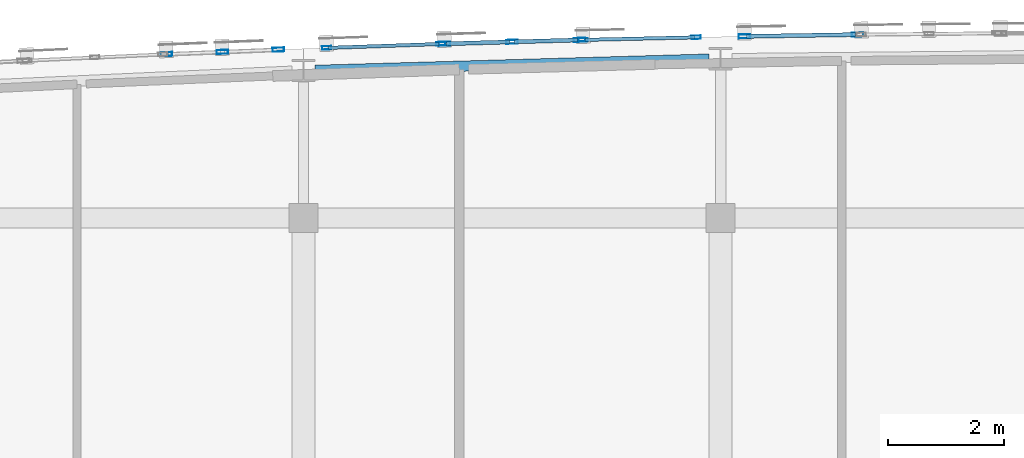
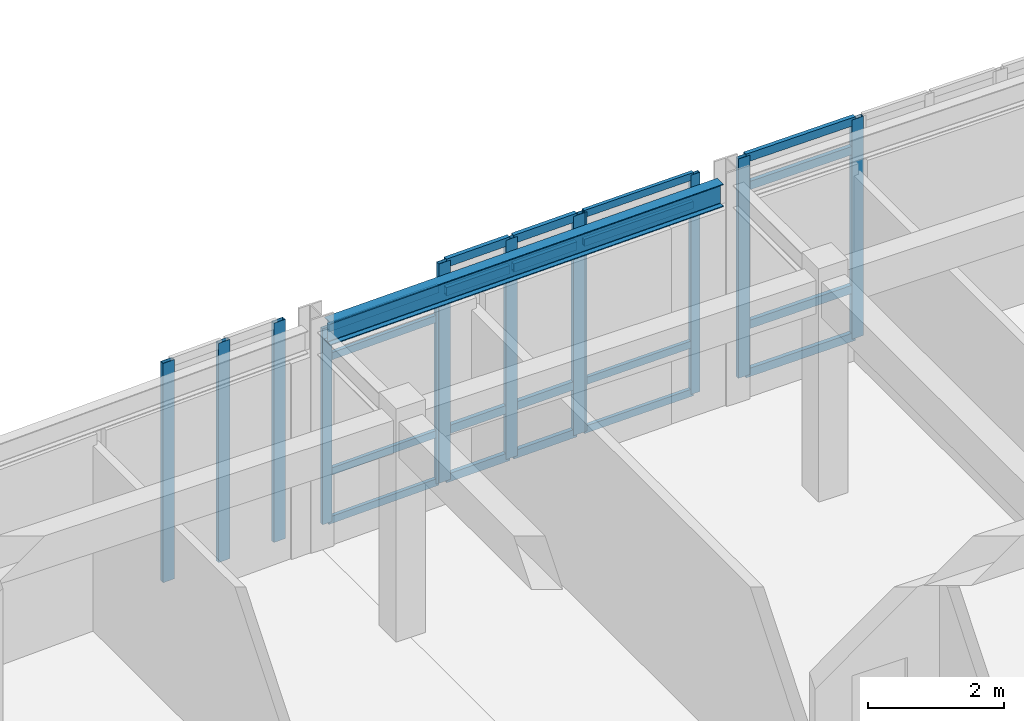
# One storey, part 11 of 24: 32 members, 1 beam, 5 elements without a shape of their own.
"""IFC4 building model written with IfcOpenShell, lengths in metres."""

from ifc_helpers import new_model, si_unit, direction, frame, origin, origin_2d, place, context, subcontext, project, spatial, hollow_rectangle, i_section, extrude, material, layer, layer_set, material_profile, profile_set, type_object, element, aggregate, save


model = new_model("IFC4")

# Units and contexts
model_context = context("Model", 3, precision=1e-05, world=origin(), true_north=direction((0.0, 1.0)))
body_context = subcontext(model_context, "Body", "Model", "MODEL_VIEW")
ifc_project = project(units=[si_unit("LENGTHUNIT", "METRE"), si_unit("AREAUNIT", "SQUARE_METRE"), si_unit("VOLUMEUNIT", "CUBIC_METRE"), si_unit("PLANEANGLEUNIT", "RADIAN"), si_unit("MASSUNIT", "GRAM", prefix="KILO")], contexts=[model_context])

# Site, building, storey
site_placement = place(None, origin())
site = spatial("IfcSite", under=ifc_project, at=site_placement, CompositionType="ELEMENT")
building_placement = place(site_placement, origin())
building = spatial("IfcBuilding", under=site, at=building_placement, Name="Carrowvane Square Congress Hotel", CompositionType="ELEMENT")
storey_placement = place(building_placement, frame((0.0, 0.0, 44.39990234375)))
storey = spatial("IfcBuildingStorey", under=building, at=storey_placement, Name="L11", CompositionType="ELEMENT", Elevation=44.39990234375)

# Beam
ifc_material_1 = material(Name="Steel S355", Category="steel")
ifc_material_profile_1 = material_profile(ifc_material_1, i_section(OverallWidth=0.1787109375, OverallDepth=0.409423828125, WebThickness=0.0087890625, FlangeThickness=0.014404296875, FilletRadius=0.01025390625, at=origin_2d()), Name="UKB 406x178x67")
ifc_profile_set_1 = profile_set([ifc_material_profile_1], Name="Steel S355")
beam_type = type_object("IfcBeamType", Name="BM-ST-UKB406", PredefinedType="BEAM", material=ifc_profile_set_1)
beam_placement = place(storey_placement, frame((83.79736328125, 115.94970703125, 3.745361328125), z_axis=(0.999592525084, 0.028544417936, 0.0), x_axis=(-0.028544417936, 0.999592525084, 0.0)))
element("IfcBeam", 1, at=beam_placement, inside=storey, type_object=beam_type, Name="RF curved north spandrel", PredefinedType="BEAM", context=body_context, shape_type="SweptSolid", body=[
    extrude(i_section(OverallWidth=0.1787109375, OverallDepth=0.409423828125, WebThickness=0.0087890625, FlangeThickness=0.014404296875, FilletRadius=0.01025390625, at=origin_2d()), origin(), (0.0, 0.0, 1.0), 6.80810546875),
])

# Curtain wall, members
ifc_material_2 = material(Name="Anodised aluminium", Category="aluminium")
ifc_layer_1 = layer(ifc_material_2, 0.162109375)
ifc_layer_set_1 = layer_set([ifc_layer_1], Name="Anodised aluminium")
curtain_wall_type_1 = type_object("IfcCurtainWallType", Name="CW-SYS-1", PredefinedType="NOTDEFINED", material=ifc_layer_set_1)
curtain_wall_1_placement = place(storey_placement, origin())
curtain_wall_1 = element("IfcCurtainWall", 2, at=curtain_wall_1_placement, inside=storey, type_object=curtain_wall_type_1, Name="L11 unitised curtain wall 600", PredefinedType="NOTDEFINED")
ifc_material_3 = material(Name="Anodised aluminium", Category="aluminium")
ifc_material_profile_2 = material_profile(ifc_material_3, hollow_rectangle(XDim=0.06005859375, YDim=0.159912109375, WallThickness=0.00390625, at=origin_2d()), Name="CW-ML 60x160x4")
ifc_profile_set_2 = profile_set([ifc_material_profile_2], Name="Anodised aluminium")
member_type_1 = type_object("IfcMemberType", Name="CW-MUL-1", PredefinedType="MULLION", material=ifc_profile_set_2)
member_1_placement = place(storey_placement, frame((84.00048828125, 116.337890625, 0.0), z_axis=(0.0, 0.0, 1.0), x_axis=(-0.034526729036, 0.999403774749, 0.0)))
member_1 = element("IfcMember", 3, at=member_1_placement, type_object=member_type_1, Name="CW-1 mullion 1", PredefinedType="MULLION", context=body_context, shape_type="SweptSolid", body=[
    extrude(hollow_rectangle(XDim=0.06005859375, YDim=0.159912109375, WallThickness=0.00390625, at=origin_2d()), origin(), (0.0, 0.0, 1.0), 3.525634765625),
])
member_2_placement = place(storey_placement, frame((85.969970703125, 116.406005859375, 0.0), z_axis=(0.0, 0.0, 1.0), x_axis=(-0.034526729036, 0.999403774749, 0.0)))
member_2 = element("IfcMember", 4, at=member_2_placement, type_object=member_type_1, Name="CW-1 mullion 2", PredefinedType="MULLION", context=body_context, shape_type="SweptSolid", body=[
    extrude(hollow_rectangle(XDim=0.06005859375, YDim=0.159912109375, WallThickness=0.00390625, at=origin_2d()), origin(), (0.0, 0.0, 1.0), 3.525634765625),
])

ifc_material_4 = material(Name="Anodised aluminium", Category="aluminium")
ifc_layer_2 = layer(ifc_material_4, 0.18603515625)
ifc_layer_set_2 = layer_set([ifc_layer_2], Name="Anodised aluminium")
curtain_wall_type_2 = type_object("IfcCurtainWallType", Name="CW-SYS-3", PredefinedType="NOTDEFINED", material=ifc_layer_set_2)
curtain_wall_2_placement = place(storey_placement, origin())
curtain_wall_2 = element("IfcCurtainWall", 5, at=curtain_wall_2_placement, inside=storey, type_object=curtain_wall_type_2, Name="L11 unitised curtain wall 602", PredefinedType="NOTDEFINED")
member_3_placement = place(storey_placement, frame((88.429931640625, 116.476318359375, 0.0), z_axis=(0.0, 0.0, 1.0), x_axis=(-0.022517686606, 0.99974644475, 0.0)))
member_3 = element("IfcMember", 6, at=member_3_placement, type_object=member_type_1, Name="CW-3 mullion 1", PredefinedType="MULLION", context=body_context, shape_type="SweptSolid", body=[
    extrude(hollow_rectangle(XDim=0.06005859375, YDim=0.159912109375, WallThickness=0.00390625, at=origin_2d()), origin(), (0.0, 0.0, 1.0), 3.9501953125),
])
member_4_placement = place(storey_placement, frame((90.377685546875, 116.520263671875, 0.0), z_axis=(0.0, 0.0, 1.0), x_axis=(-0.022517686606, 0.99974644475, 0.0)))
member_4 = element("IfcMember", 7, at=member_4_placement, type_object=member_type_1, Name="CW-3 mullion 2", PredefinedType="MULLION", context=body_context, shape_type="SweptSolid", body=[
    extrude(hollow_rectangle(XDim=0.06005859375, YDim=0.159912109375, WallThickness=0.00390625, at=origin_2d()), origin(), (0.0, 0.0, 1.0), 3.9501953125),
])

ifc_material_5 = material(Name="Anodised aluminium", Category="aluminium")
ifc_layer_3 = layer(ifc_material_5, 0.24609375)
ifc_layer_set_3 = layer_set([ifc_layer_3], Name="Anodised aluminium")
curtain_wall_type_3 = type_object("IfcCurtainWallType", Name="CW-SYS-8", PredefinedType="NOTDEFINED", material=ifc_layer_set_3)
curtain_wall_3_placement = place(storey_placement, origin())
curtain_wall_3 = element("IfcCurtainWall", 8, at=curtain_wall_3_placement, inside=storey, type_object=curtain_wall_type_3, Name="L11 unitised curtain wall 599", PredefinedType="NOTDEFINED")
ifc_material_6 = material(Name="Anodised aluminium", Category="aluminium")
ifc_material_profile_3 = material_profile(ifc_material_6, hollow_rectangle(XDim=0.070068359375, YDim=0.199951171875, WallThickness=0.0048828125, at=origin_2d()), Name="CW-ML 70x200x5")
ifc_profile_set_3 = profile_set([ifc_material_profile_3], Name="Anodised aluminium")
member_type_2 = type_object("IfcMemberType", Name="CW-MUL-2", PredefinedType="MULLION", material=ifc_profile_set_3)
member_5_placement = place(storey_placement, frame((81.23486328125, 116.22900390625, 0.0), z_axis=(0.0, 0.0, 1.0), x_axis=(-0.040135742379, 0.999194236464, 0.0)))
member_5 = element("IfcMember", 9, at=member_5_placement, type_object=member_type_2, Name="CW-8 mullion 1", PredefinedType="MULLION", context=body_context, shape_type="SweptSolid", body=[
    extrude(hollow_rectangle(XDim=0.070068359375, YDim=0.199951171875, WallThickness=0.0048828125, at=origin_2d()), origin(), (0.0, 0.0, 1.0), 3.9501953125),
])
member_6_placement = place(storey_placement, frame((82.200439453125, 116.267822265625, 0.0), z_axis=(0.0, 0.0, 1.0), x_axis=(-0.040135742379, 0.999194236464, 0.0)))
member_6 = element("IfcMember", 10, at=member_6_placement, type_object=member_type_2, Name="CW-8 mullion 2", PredefinedType="MULLION", context=body_context, shape_type="SweptSolid", body=[
    extrude(hollow_rectangle(XDim=0.070068359375, YDim=0.199951171875, WallThickness=0.0048828125, at=origin_2d()), origin(), (0.0, 0.0, 1.0), 3.9501953125),
])
member_7_placement = place(storey_placement, frame((83.166015625, 116.306640625, 0.0), z_axis=(0.0, 0.0, 1.0), x_axis=(-0.040135742379, 0.999194236464, 0.0)))
member_7 = element("IfcMember", 11, at=member_7_placement, type_object=member_type_2, Name="CW-8 mullion 3", PredefinedType="MULLION", context=body_context, shape_type="SweptSolid", body=[
    extrude(hollow_rectangle(XDim=0.070068359375, YDim=0.199951171875, WallThickness=0.0048828125, at=origin_2d()), origin(), (0.0, 0.0, 1.0), 3.9501953125),
])
aggregate(curtain_wall_3, [member_5, member_6, member_7])

ifc_material_7 = material(Name="Anodised aluminium", Category="aluminium")
ifc_layer_4 = layer(ifc_material_7, 0.174072265625)
ifc_layer_set_4 = layer_set([ifc_layer_4], Name="Anodised aluminium")
curtain_wall_type_4 = type_object("IfcCurtainWallType", Name="CW-SYS-2", PredefinedType="NOTDEFINED", material=ifc_layer_set_4)
curtain_wall_4_placement = place(storey_placement, origin())
curtain_wall_4 = element("IfcCurtainWall", 12, at=curtain_wall_4_placement, inside=storey, type_object=curtain_wall_type_4, Name="L11 unitised curtain wall 601", PredefinedType="NOTDEFINED")
member_8_placement = place(storey_placement, frame((86.034912109375, 116.407958984375, 0.0), z_axis=(0.0, 0.0, 1.0), x_axis=(-0.028638010501, 0.999589848065, 0.0)))
member_8 = element("IfcMember", 13, at=member_8_placement, type_object=member_type_2, Name="CW-2 mullion 1", PredefinedType="MULLION", context=body_context, shape_type="SweptSolid", body=[
    extrude(hollow_rectangle(XDim=0.070068359375, YDim=0.199951171875, WallThickness=0.0048828125, at=origin_2d()), origin(), (0.0, 0.0, 1.0), 3.9501953125),
])
member_9_placement = place(storey_placement, frame((87.199951171875, 116.44140625, 0.0), z_axis=(0.0, 0.0, 1.0), x_axis=(-0.028638010501, 0.999589848065, 0.0)))
member_9 = element("IfcMember", 14, at=member_9_placement, type_object=member_type_2, Name="CW-2 mullion 2", PredefinedType="MULLION", context=body_context, shape_type="SweptSolid", body=[
    extrude(hollow_rectangle(XDim=0.070068359375, YDim=0.199951171875, WallThickness=0.0048828125, at=origin_2d()), origin(), (0.0, 0.0, 1.0), 3.9501953125),
])
member_10_placement = place(storey_placement, frame((88.364990234375, 116.474609375, 0.0), z_axis=(0.0, 0.0, 1.0), x_axis=(-0.028638010501, 0.999589848065, 0.0)))
member_10 = element("IfcMember", 15, at=member_10_placement, type_object=member_type_2, Name="CW-2 mullion 3", PredefinedType="MULLION", context=body_context, shape_type="SweptSolid", body=[
    extrude(hollow_rectangle(XDim=0.070068359375, YDim=0.199951171875, WallThickness=0.0048828125, at=origin_2d()), origin(), (0.0, 0.0, 1.0), 3.9501953125),
])

ifc_material_8 = material(Name="Anodised aluminium", Category="aluminium")
ifc_layer_5 = layer(ifc_material_8, 0.197998046875)
ifc_layer_set_5 = layer_set([ifc_layer_5], Name="Anodised aluminium")
curtain_wall_type_5 = type_object("IfcCurtainWallType", Name="CW-SYS-4", PredefinedType="NOTDEFINED", material=ifc_layer_set_5)
curtain_wall_5_placement = place(storey_placement, origin())
curtain_wall_5 = element("IfcCurtainWall", 16, at=curtain_wall_5_placement, inside=storey, type_object=curtain_wall_type_5, Name="L11 unitised curtain wall 603", PredefinedType="NOTDEFINED")
member_11_placement = place(storey_placement, frame((91.212646484375, 116.536376953125, 0.0), z_axis=(0.0, 0.0, 1.0), x_axis=(-0.016215981364, 0.99986851233, 0.0)))
member_11 = element("IfcMember", 17, at=member_11_placement, type_object=member_type_2, Name="CW-4 mullion 1", PredefinedType="MULLION", context=body_context, shape_type="SweptSolid", body=[
    extrude(hollow_rectangle(XDim=0.070068359375, YDim=0.199951171875, WallThickness=0.0048828125, at=origin_2d()), origin(), (0.0, 0.0, 1.0), 3.9501953125),
])
member_12_placement = place(storey_placement, frame((93.1650390625, 116.568115234375, 0.0), z_axis=(0.0, 0.0, 1.0), x_axis=(-0.016215981364, 0.99986851233, 0.0)))
member_12 = element("IfcMember", 18, at=member_12_placement, type_object=member_type_2, Name="CW-4 mullion 2", PredefinedType="MULLION", context=body_context, shape_type="SweptSolid", body=[
    extrude(hollow_rectangle(XDim=0.070068359375, YDim=0.199951171875, WallThickness=0.0048828125, at=origin_2d()), origin(), (0.0, 0.0, 1.0), 3.9501953125),
])

# Member
ifc_material_9 = material(Name="Anodised aluminium", Category="aluminium")
ifc_material_profile_4 = material_profile(ifc_material_9, hollow_rectangle(XDim=0.06005859375, YDim=0.1298828125, WallThickness=0.00390625, at=origin_2d()), Name="CW-TR 60x130x4")
ifc_profile_set_4 = profile_set([ifc_material_profile_4], Name="Anodised aluminium")
member_type_3 = type_object("IfcMemberType", Name="CW-TRN-1", PredefinedType="USERDEFINED", material=ifc_profile_set_4)
member_13_placement = place(storey_placement, frame((84.030517578125, 116.3388671875, 0.030029296875), z_axis=(0.999404632698, 0.034501886054, 0.0), x_axis=(-0.034501886054, 0.999404632698, 0.0)))
member_13 = element("IfcMember", 19, at=member_13_placement, type_object=member_type_3, Name="CW-1 transom 1.1", ObjectType="TRANSOM", PredefinedType="USERDEFINED", context=body_context, shape_type="SweptSolid", body=[
    extrude(hollow_rectangle(XDim=0.06005859375, YDim=0.1298828125, WallThickness=0.00390625, at=origin_2d()), origin(), (0.0, 0.0, 1.0), 1.91064453125),
])

member_14_placement = place(storey_placement, frame((84.030517578125, 116.3388671875, 0.900146484375), z_axis=(0.999404632698, 0.034501886054, 0.0), x_axis=(-0.034501886054, 0.999404632698, 0.0)))
member_14 = element("IfcMember", 20, at=member_14_placement, type_object=member_type_3, Name="CW-1 transom 1.2", ObjectType="TRANSOM", PredefinedType="USERDEFINED", context=body_context, shape_type="SweptSolid", body=[
    extrude(hollow_rectangle(XDim=0.06005859375, YDim=0.1298828125, WallThickness=0.00390625, at=origin_2d()), origin(), (0.0, 0.0, 1.0), 1.91064453125),
])

member_15_placement = place(storey_placement, frame((84.030517578125, 116.3388671875, 2.9755859375), z_axis=(0.999404632698, 0.034501886054, 0.0), x_axis=(-0.034501886054, 0.999404632698, 0.0)))
member_15 = element("IfcMember", 21, at=member_15_placement, type_object=member_type_3, Name="CW-1 transom 1.3", ObjectType="TRANSOM", PredefinedType="USERDEFINED", context=body_context, shape_type="SweptSolid", body=[
    extrude(hollow_rectangle(XDim=0.06005859375, YDim=0.1298828125, WallThickness=0.00390625, at=origin_2d()), origin(), (0.0, 0.0, 1.0), 1.91064453125),
])

member_16_placement = place(storey_placement, frame((84.030517578125, 116.3388671875, 3.49560546875), z_axis=(0.999404632698, 0.034501886054, 0.0), x_axis=(-0.034501886054, 0.999404632698, 0.0)))
member_16 = element("IfcMember", 22, at=member_16_placement, type_object=member_type_3, Name="CW-1 transom 1.4", ObjectType="TRANSOM", PredefinedType="USERDEFINED", context=body_context, shape_type="SweptSolid", body=[
    extrude(hollow_rectangle(XDim=0.06005859375, YDim=0.1298828125, WallThickness=0.00390625, at=origin_2d()), origin(), (0.0, 0.0, 1.0), 1.91064453125),
])

aggregate(curtain_wall_1, [member_1, member_2, member_13, member_14, member_15, member_16])

member_17_placement = place(storey_placement, frame((88.4599609375, 116.47705078125, 0.030029296875), z_axis=(0.999746883827, 0.022498183883, 0.0), x_axis=(-0.022498183883, 0.999746883827, 0.0)))
member_17 = element("IfcMember", 23, at=member_17_placement, type_object=member_type_3, Name="CW-3 transom 1.1", ObjectType="TRANSOM", PredefinedType="USERDEFINED", context=body_context, shape_type="SweptSolid", body=[
    extrude(hollow_rectangle(XDim=0.06005859375, YDim=0.1298828125, WallThickness=0.00390625, at=origin_2d()), origin(), (0.0, 0.0, 1.0), 1.88818359375),
])

member_18_placement = place(storey_placement, frame((88.4599609375, 116.47705078125, 0.900146484375), z_axis=(0.999746883827, 0.022498183883, 0.0), x_axis=(-0.022498183883, 0.999746883827, 0.0)))
member_18 = element("IfcMember", 24, at=member_18_placement, type_object=member_type_3, Name="CW-3 transom 1.2", ObjectType="TRANSOM", PredefinedType="USERDEFINED", context=body_context, shape_type="SweptSolid", body=[
    extrude(hollow_rectangle(XDim=0.06005859375, YDim=0.1298828125, WallThickness=0.00390625, at=origin_2d()), origin(), (0.0, 0.0, 1.0), 1.88818359375),
])

member_19_placement = place(storey_placement, frame((88.4599609375, 116.47705078125, 3.400146484375), z_axis=(0.999746883827, 0.022498183883, 0.0), x_axis=(-0.022498183883, 0.999746883827, 0.0)))
member_19 = element("IfcMember", 25, at=member_19_placement, type_object=member_type_3, Name="CW-3 transom 1.3", ObjectType="TRANSOM", PredefinedType="USERDEFINED", context=body_context, shape_type="SweptSolid", body=[
    extrude(hollow_rectangle(XDim=0.06005859375, YDim=0.1298828125, WallThickness=0.00390625, at=origin_2d()), origin(), (0.0, 0.0, 1.0), 1.88818359375),
])

member_20_placement = place(storey_placement, frame((88.4599609375, 116.47705078125, 3.920166015625), z_axis=(0.999746883827, 0.022498183883, 0.0), x_axis=(-0.022498183883, 0.999746883827, 0.0)))
member_20 = element("IfcMember", 26, at=member_20_placement, type_object=member_type_3, Name="CW-3 transom 1.4", ObjectType="TRANSOM", PredefinedType="USERDEFINED", context=body_context, shape_type="SweptSolid", body=[
    extrude(hollow_rectangle(XDim=0.06005859375, YDim=0.1298828125, WallThickness=0.00390625, at=origin_2d()), origin(), (0.0, 0.0, 1.0), 1.88818359375),
])

aggregate(curtain_wall_2, [member_3, member_4, member_17, member_18, member_19, member_20])

ifc_material_10 = material(Name="Anodised aluminium", Category="aluminium")
ifc_material_profile_5 = material_profile(ifc_material_10, hollow_rectangle(XDim=0.070068359375, YDim=0.14990234375, WallThickness=0.0048828125, at=origin_2d()), Name="CW-TR 70x150x5")
ifc_profile_set_5 = profile_set([ifc_material_profile_5], Name="Anodised aluminium")
member_type_4 = type_object("IfcMemberType", Name="CW-TRN-2", PredefinedType="USERDEFINED", material=ifc_profile_set_5)
member_21_placement = place(storey_placement, frame((86.070068359375, 116.408935546875, 0.03515625), z_axis=(0.999586614567, 0.02875065179, 0.0), x_axis=(-0.02875065179, 0.999586614567, 0.0)))
member_21 = element("IfcMember", 27, at=member_21_placement, type_object=member_type_4, Name="CW-2 transom 1.1", ObjectType="TRANSOM", PredefinedType="USERDEFINED", context=body_context, shape_type="SweptSolid", body=[
    extrude(hollow_rectangle(XDim=0.070068359375, YDim=0.14990234375, WallThickness=0.0048828125, at=origin_2d()), origin(), (0.0, 0.0, 1.0), 1.095458984375),
])

member_22_placement = place(storey_placement, frame((86.070068359375, 116.408935546875, 0.900146484375), z_axis=(0.999586614567, 0.02875065179, 0.0), x_axis=(-0.02875065179, 0.999586614567, 0.0)))
member_22 = element("IfcMember", 28, at=member_22_placement, type_object=member_type_4, Name="CW-2 transom 1.2", ObjectType="TRANSOM", PredefinedType="USERDEFINED", context=body_context, shape_type="SweptSolid", body=[
    extrude(hollow_rectangle(XDim=0.070068359375, YDim=0.14990234375, WallThickness=0.0048828125, at=origin_2d()), origin(), (0.0, 0.0, 1.0), 1.095458984375),
])

member_23_placement = place(storey_placement, frame((86.070068359375, 116.408935546875, 3.400146484375), z_axis=(0.999586614567, 0.02875065179, 0.0), x_axis=(-0.02875065179, 0.999586614567, 0.0)))
member_23 = element("IfcMember", 29, at=member_23_placement, type_object=member_type_4, Name="CW-2 transom 1.3", ObjectType="TRANSOM", PredefinedType="USERDEFINED", context=body_context, shape_type="SweptSolid", body=[
    extrude(hollow_rectangle(XDim=0.070068359375, YDim=0.14990234375, WallThickness=0.0048828125, at=origin_2d()), origin(), (0.0, 0.0, 1.0), 1.095458984375),
])

member_24_placement = place(storey_placement, frame((86.070068359375, 116.408935546875, 3.9150390625), z_axis=(0.999586614567, 0.02875065179, 0.0), x_axis=(-0.02875065179, 0.999586614567, 0.0)))
member_24 = element("IfcMember", 30, at=member_24_placement, type_object=member_type_4, Name="CW-2 transom 1.4", ObjectType="TRANSOM", PredefinedType="USERDEFINED", context=body_context, shape_type="SweptSolid", body=[
    extrude(hollow_rectangle(XDim=0.070068359375, YDim=0.14990234375, WallThickness=0.0048828125, at=origin_2d()), origin(), (0.0, 0.0, 1.0), 1.095458984375),
])

member_25_placement = place(storey_placement, frame((87.235107421875, 116.4423828125, 0.03515625), z_axis=(0.999592994905, 0.028527960613, 0.0), x_axis=(-0.028527960613, 0.999592994905, 0.0)))
member_25 = element("IfcMember", 31, at=member_25_placement, type_object=member_type_4, Name="CW-2 transom 2.1", ObjectType="TRANSOM", PredefinedType="USERDEFINED", context=body_context, shape_type="SweptSolid", body=[
    extrude(hollow_rectangle(XDim=0.070068359375, YDim=0.14990234375, WallThickness=0.0048828125, at=origin_2d()), origin(), (0.0, 0.0, 1.0), 1.095458984375),
])

member_26_placement = place(storey_placement, frame((87.235107421875, 116.4423828125, 0.900146484375), z_axis=(0.999592994905, 0.028527960613, 0.0), x_axis=(-0.028527960613, 0.999592994905, 0.0)))
member_26 = element("IfcMember", 32, at=member_26_placement, type_object=member_type_4, Name="CW-2 transom 2.2", ObjectType="TRANSOM", PredefinedType="USERDEFINED", context=body_context, shape_type="SweptSolid", body=[
    extrude(hollow_rectangle(XDim=0.070068359375, YDim=0.14990234375, WallThickness=0.0048828125, at=origin_2d()), origin(), (0.0, 0.0, 1.0), 1.095458984375),
])

member_27_placement = place(storey_placement, frame((87.235107421875, 116.4423828125, 3.400146484375), z_axis=(0.999592994905, 0.028527960613, 0.0), x_axis=(-0.028527960613, 0.999592994905, 0.0)))
member_27 = element("IfcMember", 33, at=member_27_placement, type_object=member_type_4, Name="CW-2 transom 2.3", ObjectType="TRANSOM", PredefinedType="USERDEFINED", context=body_context, shape_type="SweptSolid", body=[
    extrude(hollow_rectangle(XDim=0.070068359375, YDim=0.14990234375, WallThickness=0.0048828125, at=origin_2d()), origin(), (0.0, 0.0, 1.0), 1.095458984375),
])

member_28_placement = place(storey_placement, frame((87.235107421875, 116.4423828125, 3.9150390625), z_axis=(0.999592994905, 0.028527960613, 0.0), x_axis=(-0.028527960613, 0.999592994905, 0.0)))
member_28 = element("IfcMember", 34, at=member_28_placement, type_object=member_type_4, Name="CW-2 transom 2.4", ObjectType="TRANSOM", PredefinedType="USERDEFINED", context=body_context, shape_type="SweptSolid", body=[
    extrude(hollow_rectangle(XDim=0.070068359375, YDim=0.14990234375, WallThickness=0.0048828125, at=origin_2d()), origin(), (0.0, 0.0, 1.0), 1.095458984375),
])

aggregate(curtain_wall_4, [member_8, member_9, member_10, member_21, member_22, member_23, member_24, member_25, member_26, member_27, member_28])

member_29_placement = place(storey_placement, frame((91.24755859375, 116.537109375, 0.03515625), z_axis=(0.999868599908, 0.016210580414, 0.0), x_axis=(-0.016210580414, 0.999868599908, 0.0)))
member_29 = element("IfcMember", 35, at=member_29_placement, type_object=member_type_4, Name="CW-4 transom 1.1", ObjectType="TRANSOM", PredefinedType="USERDEFINED", context=body_context, shape_type="SweptSolid", body=[
    extrude(hollow_rectangle(XDim=0.070068359375, YDim=0.14990234375, WallThickness=0.0048828125, at=origin_2d()), origin(), (0.0, 0.0, 1.0), 1.882568359375),
])

member_30_placement = place(storey_placement, frame((91.24755859375, 116.537109375, 0.900146484375), z_axis=(0.999868599908, 0.016210580414, 0.0), x_axis=(-0.016210580414, 0.999868599908, 0.0)))
member_30 = element("IfcMember", 36, at=member_30_placement, type_object=member_type_4, Name="CW-4 transom 1.2", ObjectType="TRANSOM", PredefinedType="USERDEFINED", context=body_context, shape_type="SweptSolid", body=[
    extrude(hollow_rectangle(XDim=0.070068359375, YDim=0.14990234375, WallThickness=0.0048828125, at=origin_2d()), origin(), (0.0, 0.0, 1.0), 1.882568359375),
])

member_31_placement = place(storey_placement, frame((91.24755859375, 116.537109375, 3.400146484375), z_axis=(0.999868599908, 0.016210580414, 0.0), x_axis=(-0.016210580414, 0.999868599908, 0.0)))
member_31 = element("IfcMember", 37, at=member_31_placement, type_object=member_type_4, Name="CW-4 transom 1.3", ObjectType="TRANSOM", PredefinedType="USERDEFINED", context=body_context, shape_type="SweptSolid", body=[
    extrude(hollow_rectangle(XDim=0.070068359375, YDim=0.14990234375, WallThickness=0.0048828125, at=origin_2d()), origin(), (0.0, 0.0, 1.0), 1.882568359375),
])

member_32_placement = place(storey_placement, frame((91.24755859375, 116.537109375, 3.9150390625), z_axis=(0.999868599908, 0.016210580414, 0.0), x_axis=(-0.016210580414, 0.999868599908, 0.0)))
member_32 = element("IfcMember", 38, at=member_32_placement, type_object=member_type_4, Name="CW-4 transom 1.4", ObjectType="TRANSOM", PredefinedType="USERDEFINED", context=body_context, shape_type="SweptSolid", body=[
    extrude(hollow_rectangle(XDim=0.070068359375, YDim=0.14990234375, WallThickness=0.0048828125, at=origin_2d()), origin(), (0.0, 0.0, 1.0), 1.882568359375),
])

aggregate(curtain_wall_5, [member_11, member_12, member_29, member_30, member_31, member_32])

save(model, "model.ifc")
